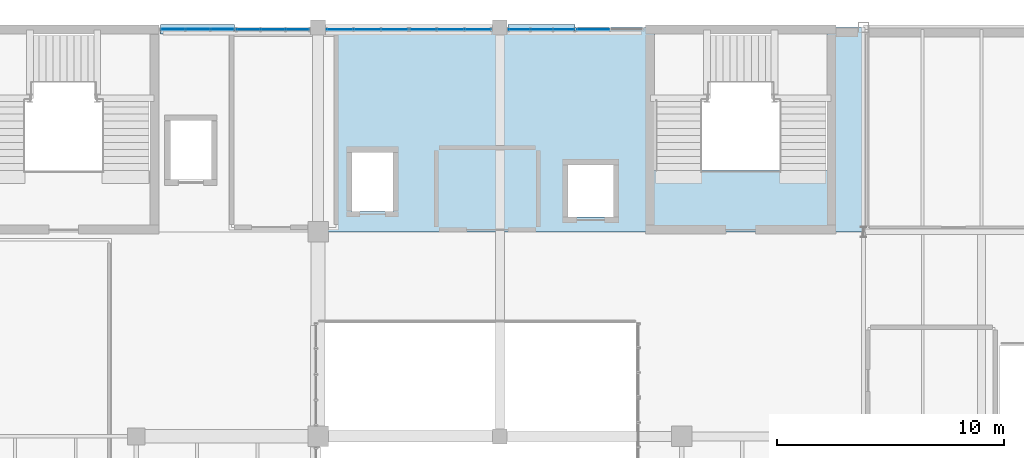
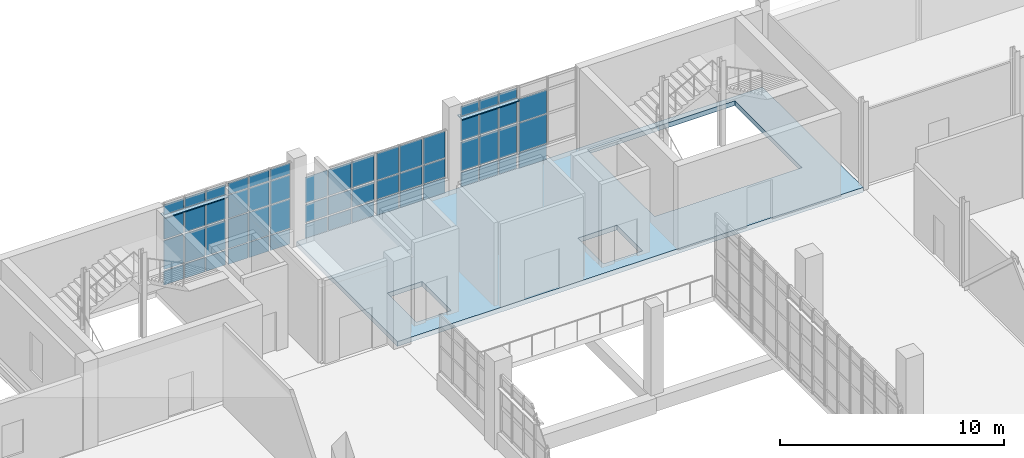
# One storey, part 76 of 102: 59 plates, 1 slab, 6 elements without a shape of their own.
"""IFC4 building model written with IfcOpenShell, lengths in metres."""

from ifc_helpers import new_model, si_unit, derived_unit, direction, frame, origin, origin_2d, place, context, subcontext, project, spatial, polyline, rectangle, outline, extrude, material, layer, layer_set, type_object, element, aggregate, save


model = new_model("IFC4")

# Units and contexts
model_context = context("Model", 3, precision=1e-05, world=origin(), true_north=direction((0.0, 1.0)))
body_context = subcontext(model_context, "Body", "Model", "MODEL_VIEW")
ifc_project = project(units=[si_unit("LENGTHUNIT", "METRE"), si_unit("AREAUNIT", "SQUARE_METRE"), si_unit("VOLUMEUNIT", "CUBIC_METRE"), si_unit("PLANEANGLEUNIT", "RADIAN"), si_unit("MASSUNIT", "GRAM", prefix="KILO"), derived_unit("THERMALTRANSMITTANCEUNIT", [(si_unit("POWERUNIT", "WATT"), 1), (si_unit("LENGTHUNIT", "METRE"), -2), (si_unit("THERMODYNAMICTEMPERATUREUNIT", "KELVIN"), -1)])], contexts=[model_context])

# Site, building, storey
site_placement = place(None, origin())
site = spatial("IfcSite", under=ifc_project, at=site_placement, CompositionType="ELEMENT")
building_placement = place(site_placement, origin())
building = spatial("IfcBuilding", under=site, at=building_placement, Name="Nallur Shell Playhouse", CompositionType="ELEMENT")
storey_placement = place(building_placement, frame((0.0, 0.0, 15.0)))
storey = spatial("IfcBuildingStorey", under=building, at=storey_placement, Name="L04", CompositionType="ELEMENT", Elevation=15.0)

# Curtain wall, plates
ifc_material_1 = material(Name="Anodised Aluminium Double-Glazed Facade System", Category="aluminium")
ifc_layer_1 = layer(ifc_material_1, 0.172119140625)
ifc_layer_set_1 = layer_set([ifc_layer_1], Name="Anodised Aluminium Double-Glazed Facade System")
curtain_wall_type_1 = type_object("IfcCurtainWallType", Name="CW-UNIT-09", PredefinedType="NOTDEFINED", material=ifc_layer_set_1)
curtain_wall_1_placement = place(storey_placement, origin())
curtain_wall_1 = element("IfcCurtainWall", 1, at=curtain_wall_1_placement, inside=storey, type_object=curtain_wall_type_1, Name="Unitised curtain wall CW-105 (L04)", PredefinedType="NOTDEFINED")
ifc_material_2 = material(Name="Solar-Control Low-E Laminated Insulating Glass", Category="glass")
ifc_layer_2 = layer(ifc_material_2, 0.02587890625)
ifc_layer_set_2 = layer_set([ifc_layer_2], Name="Solar-Control Low-E Laminated Insulating Glass")
plate_type_1 = type_object("IfcPlateType", Name="PT-GLZ-01", PredefinedType="CURTAIN_PANEL", material=ifc_layer_set_2)
plate_1_placement = place(storey_placement, frame((36.932861328125, 82.909912109375, 0.05712890625), z_axis=(0.0, 0.0, 1.0), x_axis=(1.0, 0.0, 0.0)))
plate_1 = element("IfcPlate", 2, at=plate_1_placement, type_object=plate_type_1, Name="CW-09 panel 1.1", PredefinedType="CURTAIN_PANEL", context=body_context, shape_type="SweptSolid", body=[
    extrude(rectangle(XDim=1.004638671875, YDim=0.02587890625, at=origin_2d()), origin(), (0.0, 0.0, 1.0), 0.818603515625),
])
plate_2_placement = place(storey_placement, frame((36.932861328125, 82.909912109375, 0.924560546875), z_axis=(0.0, 0.0, 1.0), x_axis=(1.0, 0.0, 0.0)))
plate_2 = element("IfcPlate", 3, at=plate_2_placement, type_object=plate_type_1, Name="CW-09 panel 1.2", PredefinedType="CURTAIN_PANEL", context=body_context, shape_type="SweptSolid", body=[
    extrude(rectangle(XDim=1.004638671875, YDim=0.02587890625, at=origin_2d()), origin(), (0.0, 0.0, 1.0), 1.587890625),
])
plate_3_placement = place(storey_placement, frame((36.932861328125, 82.909912109375, 2.5615234375), z_axis=(0.0, 0.0, 1.0), x_axis=(1.0, 0.0, 0.0)))
plate_3 = element("IfcPlate", 4, at=plate_3_placement, type_object=plate_type_1, Name="CW-09 panel 1.3", PredefinedType="CURTAIN_PANEL", context=body_context, shape_type="SweptSolid", body=[
    extrude(rectangle(XDim=1.004638671875, YDim=0.02587890625, at=origin_2d()), origin(), (0.0, 0.0, 1.0), 1.263916015625),
])
plate_4_placement = place(storey_placement, frame((36.932861328125, 82.909912109375, 3.87451171875), z_axis=(0.0, 0.0, 1.0), x_axis=(1.0, 0.0, 0.0)))
plate_4 = element("IfcPlate", 5, at=plate_4_placement, type_object=plate_type_1, Name="CW-09 panel 1.4", PredefinedType="CURTAIN_PANEL", context=body_context, shape_type="SweptSolid", body=[
    extrude(rectangle(XDim=1.004638671875, YDim=0.02587890625, at=origin_2d()), origin(), (0.0, 0.0, 1.0), 0.598388671875),
])
plate_5_placement = place(storey_placement, frame((38.01513671875, 82.909912109375, 0.05712890625), z_axis=(0.0, 0.0, 1.0), x_axis=(1.0, 0.0, 0.0)))
plate_5 = element("IfcPlate", 6, at=plate_5_placement, type_object=plate_type_1, Name="CW-09 panel 2.1", PredefinedType="CURTAIN_PANEL", context=body_context, shape_type="SweptSolid", body=[
    extrude(rectangle(XDim=1.042236328125, YDim=0.02587890625, at=origin_2d()), origin(), (0.0, 0.0, 1.0), 0.818603515625),
])
plate_6_placement = place(storey_placement, frame((38.01513671875, 82.909912109375, 0.924560546875), z_axis=(0.0, 0.0, 1.0), x_axis=(1.0, 0.0, 0.0)))
plate_6 = element("IfcPlate", 7, at=plate_6_placement, type_object=plate_type_1, Name="CW-09 panel 2.2", PredefinedType="CURTAIN_PANEL", context=body_context, shape_type="SweptSolid", body=[
    extrude(rectangle(XDim=1.042236328125, YDim=0.02587890625, at=origin_2d()), origin(), (0.0, 0.0, 1.0), 1.587890625),
])
plate_7_placement = place(storey_placement, frame((38.01513671875, 82.909912109375, 2.5615234375), z_axis=(0.0, 0.0, 1.0), x_axis=(1.0, 0.0, 0.0)))
plate_7 = element("IfcPlate", 8, at=plate_7_placement, type_object=plate_type_1, Name="CW-09 panel 2.3", PredefinedType="CURTAIN_PANEL", context=body_context, shape_type="SweptSolid", body=[
    extrude(rectangle(XDim=1.042236328125, YDim=0.02587890625, at=origin_2d()), origin(), (0.0, 0.0, 1.0), 1.263916015625),
])
plate_8_placement = place(storey_placement, frame((38.01513671875, 82.909912109375, 3.87451171875), z_axis=(0.0, 0.0, 1.0), x_axis=(1.0, 0.0, 0.0)))
plate_8 = element("IfcPlate", 9, at=plate_8_placement, type_object=plate_type_1, Name="CW-09 panel 2.4", PredefinedType="CURTAIN_PANEL", context=body_context, shape_type="SweptSolid", body=[
    extrude(rectangle(XDim=1.042236328125, YDim=0.02587890625, at=origin_2d()), origin(), (0.0, 0.0, 1.0), 0.598388671875),
])
plate_9_placement = place(storey_placement, frame((39.09765625, 82.909912109375, 0.05712890625), z_axis=(0.0, 0.0, 1.0), x_axis=(1.0, 0.0, 0.0)))
plate_9 = element("IfcPlate", 10, at=plate_9_placement, type_object=plate_type_1, Name="CW-09 panel 3.1", PredefinedType="CURTAIN_PANEL", context=body_context, shape_type="SweptSolid", body=[
    extrude(rectangle(XDim=1.004638671875, YDim=0.02587890625, at=origin_2d()), origin(), (0.0, 0.0, 1.0), 0.818603515625),
])
plate_10_placement = place(storey_placement, frame((39.09765625, 82.909912109375, 0.924560546875), z_axis=(0.0, 0.0, 1.0), x_axis=(1.0, 0.0, 0.0)))
plate_10 = element("IfcPlate", 11, at=plate_10_placement, type_object=plate_type_1, Name="CW-09 panel 3.2", PredefinedType="CURTAIN_PANEL", context=body_context, shape_type="SweptSolid", body=[
    extrude(rectangle(XDim=1.004638671875, YDim=0.02587890625, at=origin_2d()), origin(), (0.0, 0.0, 1.0), 1.587890625),
])
plate_11_placement = place(storey_placement, frame((39.09765625, 82.909912109375, 2.5615234375), z_axis=(0.0, 0.0, 1.0), x_axis=(1.0, 0.0, 0.0)))
plate_11 = element("IfcPlate", 12, at=plate_11_placement, type_object=plate_type_1, Name="CW-09 panel 3.3", PredefinedType="CURTAIN_PANEL", context=body_context, shape_type="SweptSolid", body=[
    extrude(rectangle(XDim=1.004638671875, YDim=0.02587890625, at=origin_2d()), origin(), (0.0, 0.0, 1.0), 1.263916015625),
])
plate_12_placement = place(storey_placement, frame((39.09765625, 82.909912109375, 3.87451171875), z_axis=(0.0, 0.0, 1.0), x_axis=(1.0, 0.0, 0.0)))
plate_12 = element("IfcPlate", 13, at=plate_12_placement, type_object=plate_type_1, Name="CW-09 panel 3.4", PredefinedType="CURTAIN_PANEL", context=body_context, shape_type="SweptSolid", body=[
    extrude(rectangle(XDim=1.004638671875, YDim=0.02587890625, at=origin_2d()), origin(), (0.0, 0.0, 1.0), 0.598388671875),
])
aggregate(curtain_wall_1, [plate_1, plate_2, plate_3, plate_4, plate_5, plate_6, plate_7, plate_8, plate_9, plate_10, plate_11, plate_12])

ifc_layer_3 = layer(ifc_material_1, 0.176025390625)
ifc_layer_set_3 = layer_set([ifc_layer_3], Name="Anodised Aluminium Double-Glazed Facade System")
curtain_wall_type_2 = type_object("IfcCurtainWallType", Name="CW-UNIT-10", PredefinedType="NOTDEFINED", material=ifc_layer_set_3)
curtain_wall_2_placement = place(storey_placement, origin())
curtain_wall_2 = element("IfcCurtainWall", 14, at=curtain_wall_2_placement, inside=storey, type_object=curtain_wall_type_2, Name="Unitised curtain wall CW-106 (L04)", PredefinedType="NOTDEFINED")
ifc_layer_4 = layer(ifc_material_2, 0.028076171875)
ifc_layer_set_4 = layer_set([ifc_layer_4], Name="Solar-Control Low-E Laminated Insulating Glass")
plate_type_2 = type_object("IfcPlateType", Name="PT-GLZ-02", PredefinedType="CURTAIN_PANEL", material=ifc_layer_set_4)
plate_13_placement = place(storey_placement, frame((40.95947265625, 82.909912109375, 0.092041015625), z_axis=(0.0, 0.0, 1.0), x_axis=(1.0, 0.0, 0.0)))
plate_13 = element("IfcPlate", 15, at=plate_13_placement, type_object=plate_type_2, Name="CW-10 panel 1.1", PredefinedType="CURTAIN_PANEL", context=body_context, shape_type="SweptSolid", body=[
    extrude(rectangle(XDim=1.13916015625, YDim=0.028076171875, at=origin_2d()), origin(), (0.0, 0.0, 1.0), 0.76611328125),
])
plate_14_placement = place(storey_placement, frame((40.95947265625, 82.909912109375, 0.94189453125), z_axis=(0.0, 0.0, 1.0), x_axis=(1.0, 0.0, 0.0)))
plate_14 = element("IfcPlate", 16, at=plate_14_placement, type_object=plate_type_2, Name="CW-10 panel 1.2", PredefinedType="CURTAIN_PANEL", context=body_context, shape_type="SweptSolid", body=[
    extrude(rectangle(XDim=1.13916015625, YDim=0.028076171875, at=origin_2d()), origin(), (0.0, 0.0, 1.0), 0.972900390625),
])
plate_15_placement = place(storey_placement, frame((40.95947265625, 82.909912109375, 1.9990234375), z_axis=(0.0, 0.0, 1.0), x_axis=(1.0, 0.0, 0.0)))
plate_15 = element("IfcPlate", 17, at=plate_15_placement, type_object=plate_type_2, Name="CW-10 panel 1.3", PredefinedType="CURTAIN_PANEL", context=body_context, shape_type="SweptSolid", body=[
    extrude(rectangle(XDim=1.13916015625, YDim=0.028076171875, at=origin_2d()), origin(), (0.0, 0.0, 1.0), 1.404052734375),
])
plate_16_placement = place(storey_placement, frame((42.1640625, 82.909912109375, 0.092041015625), z_axis=(0.0, 0.0, 1.0), x_axis=(1.0, 0.0, 0.0)))
plate_16 = element("IfcPlate", 18, at=plate_16_placement, type_object=plate_type_2, Name="CW-10 panel 2.1", PredefinedType="CURTAIN_PANEL", context=body_context, shape_type="SweptSolid", body=[
    extrude(rectangle(XDim=1.171630859375, YDim=0.028076171875, at=origin_2d()), origin(), (0.0, 0.0, 1.0), 0.76611328125),
])
plate_17_placement = place(storey_placement, frame((42.1640625, 82.909912109375, 0.94189453125), z_axis=(0.0, 0.0, 1.0), x_axis=(1.0, 0.0, 0.0)))
plate_17 = element("IfcPlate", 19, at=plate_17_placement, type_object=plate_type_2, Name="CW-10 panel 2.2", PredefinedType="CURTAIN_PANEL", context=body_context, shape_type="SweptSolid", body=[
    extrude(rectangle(XDim=1.171630859375, YDim=0.028076171875, at=origin_2d()), origin(), (0.0, 0.0, 1.0), 0.972900390625),
])
plate_18_placement = place(storey_placement, frame((42.1640625, 82.909912109375, 1.9990234375), z_axis=(0.0, 0.0, 1.0), x_axis=(1.0, 0.0, 0.0)))
plate_18 = element("IfcPlate", 20, at=plate_18_placement, type_object=plate_type_2, Name="CW-10 panel 2.3", PredefinedType="CURTAIN_PANEL", context=body_context, shape_type="SweptSolid", body=[
    extrude(rectangle(XDim=1.171630859375, YDim=0.028076171875, at=origin_2d()), origin(), (0.0, 0.0, 1.0), 1.404052734375),
])
plate_19_placement = place(storey_placement, frame((43.368408203125, 82.909912109375, 0.092041015625), z_axis=(0.0, 0.0, 1.0), x_axis=(1.0, 0.0, 0.0)))
plate_19 = element("IfcPlate", 21, at=plate_19_placement, type_object=plate_type_2, Name="CW-10 panel 3.1", PredefinedType="CURTAIN_PANEL", context=body_context, shape_type="SweptSolid", body=[
    extrude(rectangle(XDim=1.13916015625, YDim=0.028076171875, at=origin_2d()), origin(), (0.0, 0.0, 1.0), 0.76611328125),
])
plate_20_placement = place(storey_placement, frame((43.368408203125, 82.909912109375, 0.94189453125), z_axis=(0.0, 0.0, 1.0), x_axis=(1.0, 0.0, 0.0)))
plate_20 = element("IfcPlate", 22, at=plate_20_placement, type_object=plate_type_2, Name="CW-10 panel 3.2", PredefinedType="CURTAIN_PANEL", context=body_context, shape_type="SweptSolid", body=[
    extrude(rectangle(XDim=1.13916015625, YDim=0.028076171875, at=origin_2d()), origin(), (0.0, 0.0, 1.0), 0.972900390625),
])
plate_21_placement = place(storey_placement, frame((43.368408203125, 82.909912109375, 1.9990234375), z_axis=(0.0, 0.0, 1.0), x_axis=(1.0, 0.0, 0.0)))
plate_21 = element("IfcPlate", 23, at=plate_21_placement, type_object=plate_type_2, Name="CW-10 panel 3.3", PredefinedType="CURTAIN_PANEL", context=body_context, shape_type="SweptSolid", body=[
    extrude(rectangle(XDim=1.13916015625, YDim=0.028076171875, at=origin_2d()), origin(), (0.0, 0.0, 1.0), 1.404052734375),
])
aggregate(curtain_wall_2, [plate_13, plate_14, plate_15, plate_16, plate_17, plate_18, plate_19, plate_20, plate_21])

ifc_layer_5 = layer(ifc_material_1, 0.179931640625)
ifc_layer_set_5 = layer_set([ifc_layer_5], Name="Anodised Aluminium Double-Glazed Facade System")
curtain_wall_type_3 = type_object("IfcCurtainWallType", Name="CW-UNIT-11", PredefinedType="NOTDEFINED", material=ifc_layer_set_5)
curtain_wall_3_placement = place(storey_placement, origin())
curtain_wall_3 = element("IfcCurtainWall", 24, at=curtain_wall_3_placement, inside=storey, type_object=curtain_wall_type_3, Name="Unitised curtain wall CW-107 (L04)", PredefinedType="NOTDEFINED")
ifc_layer_6 = layer(ifc_material_2, 0.030029296875)
ifc_layer_set_6 = layer_set([ifc_layer_6], Name="Solar-Control Low-E Laminated Insulating Glass")
plate_type_3 = type_object("IfcPlateType", Name="PT-GLZ-03", PredefinedType="CURTAIN_PANEL", material=ifc_layer_set_6)
plate_22_placement = place(storey_placement, frame((44.63525390625, 82.909912109375, 0.05712890625), z_axis=(0.0, 0.0, 1.0), x_axis=(1.0, 0.0, 0.0)))
plate_22 = element("IfcPlate", 25, at=plate_22_placement, type_object=plate_type_3, Name="CW-11 panel 1.1", PredefinedType="CURTAIN_PANEL", context=body_context, shape_type="SweptSolid", body=[
    extrude(rectangle(XDim=1.11669921875, YDim=0.030029296875, at=origin_2d()), origin(), (0.0, 0.0, 1.0), 0.818603515625),
])
plate_23_placement = place(storey_placement, frame((44.63525390625, 82.909912109375, 0.924560546875), z_axis=(0.0, 0.0, 1.0), x_axis=(1.0, 0.0, 0.0)))
plate_23 = element("IfcPlate", 26, at=plate_23_placement, type_object=plate_type_3, Name="CW-11 panel 1.2", PredefinedType="CURTAIN_PANEL", context=body_context, shape_type="SweptSolid", body=[
    extrude(rectangle(XDim=1.11669921875, YDim=0.030029296875, at=origin_2d()), origin(), (0.0, 0.0, 1.0), 0.9970703125),
])
plate_24_placement = place(storey_placement, frame((44.63525390625, 82.909912109375, 1.970703125), z_axis=(0.0, 0.0, 1.0), x_axis=(1.0, 0.0, 0.0)))
plate_24 = element("IfcPlate", 27, at=plate_24_placement, type_object=plate_type_3, Name="CW-11 panel 1.3", PredefinedType="CURTAIN_PANEL", context=body_context, shape_type="SweptSolid", body=[
    extrude(rectangle(XDim=1.11669921875, YDim=0.030029296875, at=origin_2d()), origin(), (0.0, 0.0, 1.0), 1.447509765625),
])
plate_25_placement = place(storey_placement, frame((45.8359375, 82.909912109375, 0.05712890625), z_axis=(0.0, 0.0, 1.0), x_axis=(1.0, 0.0, 0.0)))
plate_25 = element("IfcPlate", 28, at=plate_25_placement, type_object=plate_type_3, Name="CW-11 panel 2.1", PredefinedType="CURTAIN_PANEL", context=body_context, shape_type="SweptSolid", body=[
    extrude(rectangle(XDim=1.15673828125, YDim=0.030029296875, at=origin_2d()), origin(), (0.0, 0.0, 1.0), 0.818603515625),
])
plate_26_placement = place(storey_placement, frame((45.8359375, 82.909912109375, 0.924560546875), z_axis=(0.0, 0.0, 1.0), x_axis=(1.0, 0.0, 0.0)))
plate_26 = element("IfcPlate", 29, at=plate_26_placement, type_object=plate_type_3, Name="CW-11 panel 2.2", PredefinedType="CURTAIN_PANEL", context=body_context, shape_type="SweptSolid", body=[
    extrude(rectangle(XDim=1.15673828125, YDim=0.030029296875, at=origin_2d()), origin(), (0.0, 0.0, 1.0), 0.9970703125),
])
plate_27_placement = place(storey_placement, frame((45.8359375, 82.909912109375, 1.970703125), z_axis=(0.0, 0.0, 1.0), x_axis=(1.0, 0.0, 0.0)))
plate_27 = element("IfcPlate", 30, at=plate_27_placement, type_object=plate_type_3, Name="CW-11 panel 2.3", PredefinedType="CURTAIN_PANEL", context=body_context, shape_type="SweptSolid", body=[
    extrude(rectangle(XDim=1.15673828125, YDim=0.030029296875, at=origin_2d()), origin(), (0.0, 0.0, 1.0), 1.447509765625),
])
plate_28_placement = place(storey_placement, frame((47.03662109375, 82.909912109375, 0.05712890625), z_axis=(0.0, 0.0, 1.0), x_axis=(1.0, 0.0, 0.0)))
plate_28 = element("IfcPlate", 31, at=plate_28_placement, type_object=plate_type_3, Name="CW-11 panel 3.1", PredefinedType="CURTAIN_PANEL", context=body_context, shape_type="SweptSolid", body=[
    extrude(rectangle(XDim=1.11669921875, YDim=0.030029296875, at=origin_2d()), origin(), (0.0, 0.0, 1.0), 0.818603515625),
])
plate_29_placement = place(storey_placement, frame((47.03662109375, 82.909912109375, 0.924560546875), z_axis=(0.0, 0.0, 1.0), x_axis=(1.0, 0.0, 0.0)))
plate_29 = element("IfcPlate", 32, at=plate_29_placement, type_object=plate_type_3, Name="CW-11 panel 3.2", PredefinedType="CURTAIN_PANEL", context=body_context, shape_type="SweptSolid", body=[
    extrude(rectangle(XDim=1.11669921875, YDim=0.030029296875, at=origin_2d()), origin(), (0.0, 0.0, 1.0), 0.9970703125),
])
plate_30_placement = place(storey_placement, frame((47.03662109375, 82.909912109375, 1.970703125), z_axis=(0.0, 0.0, 1.0), x_axis=(1.0, 0.0, 0.0)))
plate_30 = element("IfcPlate", 33, at=plate_30_placement, type_object=plate_type_3, Name="CW-11 panel 3.3", PredefinedType="CURTAIN_PANEL", context=body_context, shape_type="SweptSolid", body=[
    extrude(rectangle(XDim=1.11669921875, YDim=0.030029296875, at=origin_2d()), origin(), (0.0, 0.0, 1.0), 1.447509765625),
])
aggregate(curtain_wall_3, [plate_22, plate_23, plate_24, plate_25, plate_26, plate_27, plate_28, plate_29, plate_30])

ifc_layer_7 = layer(ifc_material_1, 0.159912109375)
ifc_layer_set_7 = layer_set([ifc_layer_7], Name="Anodised Aluminium Double-Glazed Facade System")
curtain_wall_type_4 = type_object("IfcCurtainWallType", Name="CW-UNIT-12", PredefinedType="NOTDEFINED", material=ifc_layer_set_7)
curtain_wall_4_placement = place(storey_placement, origin())
curtain_wall_4 = element("IfcCurtainWall", 34, at=curtain_wall_4_placement, inside=storey, type_object=curtain_wall_type_4, Name="Unitised curtain wall CW-108 (L04)", PredefinedType="NOTDEFINED")
ifc_layer_8 = layer(ifc_material_2, 0.031982421875)
ifc_layer_set_8 = layer_set([ifc_layer_8], Name="Solar-Control Low-E Laminated Insulating Glass")
plate_type_4 = type_object("IfcPlateType", Name="PT-GLZ-04", PredefinedType="CURTAIN_PANEL", material=ifc_layer_set_8)
plate_31_placement = place(storey_placement, frame((48.852294921875, 82.909912109375, 0.092041015625), z_axis=(0.0, 0.0, 1.0), x_axis=(1.0, 0.0, 0.0)))
plate_31 = element("IfcPlate", 35, at=plate_31_placement, type_object=plate_type_4, Name="CW-12 panel 1.1", PredefinedType="CURTAIN_PANEL", context=body_context, shape_type="SweptSolid", body=[
    extrude(rectangle(XDim=0.90478515625, YDim=0.031982421875, at=origin_2d()), origin(), (0.0, 0.0, 1.0), 0.76611328125),
])
plate_32_placement = place(storey_placement, frame((48.852294921875, 82.909912109375, 0.942138671875), z_axis=(0.0, 0.0, 1.0), x_axis=(1.0, 0.0, 0.0)))
plate_32 = element("IfcPlate", 36, at=plate_32_placement, type_object=plate_type_4, Name="CW-12 panel 1.2", PredefinedType="CURTAIN_PANEL", context=body_context, shape_type="SweptSolid", body=[
    extrude(rectangle(XDim=0.90478515625, YDim=0.031982421875, at=origin_2d()), origin(), (0.0, 0.0, 1.0), 1.56396484375),
])
plate_33_placement = place(storey_placement, frame((48.852294921875, 82.909912109375, 2.58984375), z_axis=(0.0, 0.0, 1.0), x_axis=(1.0, 0.0, 0.0)))
plate_33 = element("IfcPlate", 37, at=plate_33_placement, type_object=plate_type_4, Name="CW-12 panel 1.3", PredefinedType="CURTAIN_PANEL", context=body_context, shape_type="SweptSolid", body=[
    extrude(rectangle(XDim=0.90478515625, YDim=0.031982421875, at=origin_2d()), origin(), (0.0, 0.0, 1.0), 1.238037109375),
])
plate_34_placement = place(storey_placement, frame((48.852294921875, 82.909912109375, 3.912109375), z_axis=(0.0, 0.0, 1.0), x_axis=(1.0, 0.0, 0.0)))
plate_34 = element("IfcPlate", 38, at=plate_34_placement, type_object=plate_type_4, Name="CW-12 panel 1.4", PredefinedType="CURTAIN_PANEL", context=body_context, shape_type="SweptSolid", body=[
    extrude(rectangle(XDim=0.90478515625, YDim=0.031982421875, at=origin_2d()), origin(), (0.0, 0.0, 1.0), 0.5458984375),
])
plate_35_placement = place(storey_placement, frame((49.834716796875, 82.909912109375, 0.092041015625), z_axis=(0.0, 0.0, 1.0), x_axis=(1.0, 0.0, 0.0)))
plate_35 = element("IfcPlate", 39, at=plate_35_placement, type_object=plate_type_4, Name="CW-12 panel 2.1", PredefinedType="CURTAIN_PANEL", context=body_context, shape_type="SweptSolid", body=[
    extrude(rectangle(XDim=0.942138671875, YDim=0.031982421875, at=origin_2d()), origin(), (0.0, 0.0, 1.0), 0.76611328125),
])
plate_36_placement = place(storey_placement, frame((49.834716796875, 82.909912109375, 0.942138671875), z_axis=(0.0, 0.0, 1.0), x_axis=(1.0, 0.0, 0.0)))
plate_36 = element("IfcPlate", 40, at=plate_36_placement, type_object=plate_type_4, Name="CW-12 panel 2.2", PredefinedType="CURTAIN_PANEL", context=body_context, shape_type="SweptSolid", body=[
    extrude(rectangle(XDim=0.942138671875, YDim=0.031982421875, at=origin_2d()), origin(), (0.0, 0.0, 1.0), 1.56396484375),
])
plate_37_placement = place(storey_placement, frame((49.834716796875, 82.909912109375, 2.58984375), z_axis=(0.0, 0.0, 1.0), x_axis=(1.0, 0.0, 0.0)))
plate_37 = element("IfcPlate", 41, at=plate_37_placement, type_object=plate_type_4, Name="CW-12 panel 2.3", PredefinedType="CURTAIN_PANEL", context=body_context, shape_type="SweptSolid", body=[
    extrude(rectangle(XDim=0.942138671875, YDim=0.031982421875, at=origin_2d()), origin(), (0.0, 0.0, 1.0), 1.238037109375),
])
plate_38_placement = place(storey_placement, frame((49.834716796875, 82.909912109375, 3.912109375), z_axis=(0.0, 0.0, 1.0), x_axis=(1.0, 0.0, 0.0)))
plate_38 = element("IfcPlate", 42, at=plate_38_placement, type_object=plate_type_4, Name="CW-12 panel 2.4", PredefinedType="CURTAIN_PANEL", context=body_context, shape_type="SweptSolid", body=[
    extrude(rectangle(XDim=0.942138671875, YDim=0.031982421875, at=origin_2d()), origin(), (0.0, 0.0, 1.0), 0.5458984375),
])
plate_39_placement = place(storey_placement, frame((50.817138671875, 82.909912109375, 0.092041015625), z_axis=(0.0, 0.0, 1.0), x_axis=(1.0, 0.0, 0.0)))
plate_39 = element("IfcPlate", 43, at=plate_39_placement, type_object=plate_type_4, Name="CW-12 panel 3.1", PredefinedType="CURTAIN_PANEL", context=body_context, shape_type="SweptSolid", body=[
    extrude(rectangle(XDim=0.90478515625, YDim=0.031982421875, at=origin_2d()), origin(), (0.0, 0.0, 1.0), 0.76611328125),
])
plate_40_placement = place(storey_placement, frame((50.817138671875, 82.909912109375, 0.942138671875), z_axis=(0.0, 0.0, 1.0), x_axis=(1.0, 0.0, 0.0)))
plate_40 = element("IfcPlate", 44, at=plate_40_placement, type_object=plate_type_4, Name="CW-12 panel 3.2", PredefinedType="CURTAIN_PANEL", context=body_context, shape_type="SweptSolid", body=[
    extrude(rectangle(XDim=0.90478515625, YDim=0.031982421875, at=origin_2d()), origin(), (0.0, 0.0, 1.0), 1.56396484375),
])
plate_41_placement = place(storey_placement, frame((50.817138671875, 82.909912109375, 2.58984375), z_axis=(0.0, 0.0, 1.0), x_axis=(1.0, 0.0, 0.0)))
plate_41 = element("IfcPlate", 45, at=plate_41_placement, type_object=plate_type_4, Name="CW-12 panel 3.3", PredefinedType="CURTAIN_PANEL", context=body_context, shape_type="SweptSolid", body=[
    extrude(rectangle(XDim=0.90478515625, YDim=0.031982421875, at=origin_2d()), origin(), (0.0, 0.0, 1.0), 1.238037109375),
])
plate_42_placement = place(storey_placement, frame((50.817138671875, 82.909912109375, 3.912109375), z_axis=(0.0, 0.0, 1.0), x_axis=(1.0, 0.0, 0.0)))
plate_42 = element("IfcPlate", 46, at=plate_42_placement, type_object=plate_type_4, Name="CW-12 panel 3.4", PredefinedType="CURTAIN_PANEL", context=body_context, shape_type="SweptSolid", body=[
    extrude(rectangle(XDim=0.90478515625, YDim=0.031982421875, at=origin_2d()), origin(), (0.0, 0.0, 1.0), 0.5458984375),
])
aggregate(curtain_wall_4, [plate_31, plate_32, plate_33, plate_34, plate_35, plate_36, plate_37, plate_38, plate_39, plate_40, plate_41, plate_42])

ifc_layer_9 = layer(ifc_material_1, 0.1640625)
ifc_layer_set_9 = layer_set([ifc_layer_9], Name="Anodised Aluminium Double-Glazed Facade System")
curtain_wall_type_5 = type_object("IfcCurtainWallType", Name="CW-UNIT-13", PredefinedType="NOTDEFINED", material=ifc_layer_set_9)
curtain_wall_5_placement = place(storey_placement, origin())
curtain_wall_5 = element("IfcCurtainWall", 47, at=curtain_wall_5_placement, inside=storey, type_object=curtain_wall_type_5, Name="Unitised curtain wall CW-109 (L04)", PredefinedType="NOTDEFINED")
ifc_layer_10 = layer(ifc_material_2, 0.033935546875)
ifc_layer_set_10 = layer_set([ifc_layer_10], Name="Solar-Control Low-E Laminated Insulating Glass")
plate_type_5 = type_object("IfcPlateType", Name="PT-GLZ-05", PredefinedType="CURTAIN_PANEL", material=ifc_layer_set_10)
plate_43_placement = place(storey_placement, frame((52.113525390625, 82.909912109375, 0.05712890625), z_axis=(0.0, 0.0, 1.0), x_axis=(1.0, 0.0, 0.0)))
plate_43 = element("IfcPlate", 48, at=plate_43_placement, type_object=plate_type_5, Name="CW-13 panel 1.1", PredefinedType="CURTAIN_PANEL", context=body_context, shape_type="SweptSolid", body=[
    extrude(rectangle(XDim=1.420166015625, YDim=0.033935546875, at=origin_2d()), origin(), (0.0, 0.0, 1.0), 0.818603515625),
])
plate_44_placement = place(storey_placement, frame((52.113525390625, 82.909912109375, 0.924560546875), z_axis=(0.0, 0.0, 1.0), x_axis=(1.0, 0.0, 0.0)))
plate_44 = element("IfcPlate", 49, at=plate_44_placement, type_object=plate_type_5, Name="CW-13 panel 1.2", PredefinedType="CURTAIN_PANEL", context=body_context, shape_type="SweptSolid", body=[
    extrude(rectangle(XDim=1.420166015625, YDim=0.033935546875, at=origin_2d()), origin(), (0.0, 0.0, 1.0), 1.587890625),
])
plate_45_placement = place(storey_placement, frame((52.113525390625, 82.909912109375, 2.5615234375), z_axis=(0.0, 0.0, 1.0), x_axis=(1.0, 0.0, 0.0)))
plate_45 = element("IfcPlate", 50, at=plate_45_placement, type_object=plate_type_5, Name="CW-13 panel 1.3", PredefinedType="CURTAIN_PANEL", context=body_context, shape_type="SweptSolid", body=[
    extrude(rectangle(XDim=1.420166015625, YDim=0.033935546875, at=origin_2d()), origin(), (0.0, 0.0, 1.0), 1.263916015625),
])
aggregate(curtain_wall_5, [plate_43, plate_44, plate_45])

ifc_layer_11 = layer(ifc_material_1, 0.16796875)
ifc_layer_set_11 = layer_set([ifc_layer_11], Name="Anodised Aluminium Double-Glazed Facade System")
curtain_wall_type_6 = type_object("IfcCurtainWallType", Name="CW-UNIT-08", PredefinedType="NOTDEFINED", material=ifc_layer_set_11)
curtain_wall_6_placement = place(storey_placement, origin())
curtain_wall_6 = element("IfcCurtainWall", 51, at=curtain_wall_6_placement, inside=storey, type_object=curtain_wall_type_6, Name="Unitised curtain wall CW-104 (L04)", PredefinedType="NOTDEFINED")
ifc_layer_12 = layer(ifc_material_2, 0.0400390625)
ifc_layer_set_12 = layer_set([ifc_layer_12], Name="Solar-Control Low-E Laminated Insulating Glass")
plate_type_6 = type_object("IfcPlateType", Name="PT-GLZ-08", PredefinedType="CURTAIN_PANEL", material=ifc_layer_set_12)
plate_46_placement = place(storey_placement, frame((33.62060546875, 82.909912109375, 0.092041015625), z_axis=(0.0, 0.0, 1.0), x_axis=(1.0, 0.0, 0.0)))
plate_46 = element("IfcPlate", 52, at=plate_46_placement, type_object=plate_type_6, Name="CW-08 panel 1.1", PredefinedType="CURTAIN_PANEL", context=body_context, shape_type="SweptSolid", body=[
    extrude(rectangle(XDim=0.9970703125, YDim=0.0400390625, at=origin_2d()), origin(), (0.0, 0.0, 1.0), 0.76611328125),
])
plate_47_placement = place(storey_placement, frame((33.62060546875, 82.909912109375, 0.942138671875), z_axis=(0.0, 0.0, 1.0), x_axis=(1.0, 0.0, 0.0)))
plate_47 = element("IfcPlate", 53, at=plate_47_placement, type_object=plate_type_6, Name="CW-08 panel 1.2", PredefinedType="CURTAIN_PANEL", context=body_context, shape_type="SweptSolid", body=[
    extrude(rectangle(XDim=0.9970703125, YDim=0.0400390625, at=origin_2d()), origin(), (0.0, 0.0, 1.0), 1.56396484375),
])
plate_48_placement = place(storey_placement, frame((33.62060546875, 82.909912109375, 2.58984375), z_axis=(0.0, 0.0, 1.0), x_axis=(1.0, 0.0, 0.0)))
plate_48 = element("IfcPlate", 54, at=plate_48_placement, type_object=plate_type_6, Name="CW-08 panel 1.3", PredefinedType="CURTAIN_PANEL", context=body_context, shape_type="SweptSolid", body=[
    extrude(rectangle(XDim=0.9970703125, YDim=0.0400390625, at=origin_2d()), origin(), (0.0, 0.0, 1.0), 1.238037109375),
])
plate_49_placement = place(storey_placement, frame((33.62060546875, 82.909912109375, 3.912109375), z_axis=(0.0, 0.0, 1.0), x_axis=(1.0, 0.0, 0.0)))
plate_49 = element("IfcPlate", 55, at=plate_49_placement, type_object=plate_type_6, Name="CW-08 panel 1.4", PredefinedType="CURTAIN_PANEL", context=body_context, shape_type="SweptSolid", body=[
    extrude(rectangle(XDim=0.9970703125, YDim=0.0400390625, at=origin_2d()), origin(), (0.0, 0.0, 1.0), 0.5458984375),
])
plate_50_placement = place(storey_placement, frame((34.70166015625, 82.909912109375, 0.092041015625), z_axis=(0.0, 0.0, 1.0), x_axis=(1.0, 0.0, 0.0)))
plate_50 = element("IfcPlate", 56, at=plate_50_placement, type_object=plate_type_6, Name="CW-08 panel 2.1", PredefinedType="CURTAIN_PANEL", context=body_context, shape_type="SweptSolid", body=[
    extrude(rectangle(XDim=1.037109375, YDim=0.0400390625, at=origin_2d()), origin(), (0.0, 0.0, 1.0), 0.76611328125),
])
plate_51_placement = place(storey_placement, frame((34.70166015625, 82.909912109375, 0.942138671875), z_axis=(0.0, 0.0, 1.0), x_axis=(1.0, 0.0, 0.0)))
plate_51 = element("IfcPlate", 57, at=plate_51_placement, type_object=plate_type_6, Name="CW-08 panel 2.2", PredefinedType="CURTAIN_PANEL", context=body_context, shape_type="SweptSolid", body=[
    extrude(rectangle(XDim=1.037109375, YDim=0.0400390625, at=origin_2d()), origin(), (0.0, 0.0, 1.0), 1.56396484375),
])
plate_52_placement = place(storey_placement, frame((34.70166015625, 82.909912109375, 2.58984375), z_axis=(0.0, 0.0, 1.0), x_axis=(1.0, 0.0, 0.0)))
plate_52 = element("IfcPlate", 58, at=plate_52_placement, type_object=plate_type_6, Name="CW-08 panel 2.3", PredefinedType="CURTAIN_PANEL", context=body_context, shape_type="SweptSolid", body=[
    extrude(rectangle(XDim=1.037109375, YDim=0.0400390625, at=origin_2d()), origin(), (0.0, 0.0, 1.0), 1.238037109375),
])
plate_53_placement = place(storey_placement, frame((34.70166015625, 82.909912109375, 3.912109375), z_axis=(0.0, 0.0, 1.0), x_axis=(1.0, 0.0, 0.0)))
plate_53 = element("IfcPlate", 59, at=plate_53_placement, type_object=plate_type_6, Name="CW-08 panel 2.4", PredefinedType="CURTAIN_PANEL", context=body_context, shape_type="SweptSolid", body=[
    extrude(rectangle(XDim=1.037109375, YDim=0.0400390625, at=origin_2d()), origin(), (0.0, 0.0, 1.0), 0.5458984375),
])
plate_54_placement = place(storey_placement, frame((35.782958984375, 82.909912109375, 0.092041015625), z_axis=(0.0, 0.0, 1.0), x_axis=(1.0, 0.0, 0.0)))
plate_54 = element("IfcPlate", 60, at=plate_54_placement, type_object=plate_type_6, Name="CW-08 panel 3.1", PredefinedType="CURTAIN_PANEL", context=body_context, shape_type="SweptSolid", body=[
    extrude(rectangle(XDim=0.9970703125, YDim=0.0400390625, at=origin_2d()), origin(), (0.0, 0.0, 1.0), 0.76611328125),
])
plate_55_placement = place(storey_placement, frame((35.782958984375, 82.909912109375, 0.942138671875), z_axis=(0.0, 0.0, 1.0), x_axis=(1.0, 0.0, 0.0)))
plate_55 = element("IfcPlate", 61, at=plate_55_placement, type_object=plate_type_6, Name="CW-08 panel 3.2", PredefinedType="CURTAIN_PANEL", context=body_context, shape_type="SweptSolid", body=[
    extrude(rectangle(XDim=0.9970703125, YDim=0.0400390625, at=origin_2d()), origin(), (0.0, 0.0, 1.0), 1.56396484375),
])
plate_56_placement = place(storey_placement, frame((35.782958984375, 82.909912109375, 2.58984375), z_axis=(0.0, 0.0, 1.0), x_axis=(1.0, 0.0, 0.0)))
plate_56 = element("IfcPlate", 62, at=plate_56_placement, type_object=plate_type_6, Name="CW-08 panel 3.3", PredefinedType="CURTAIN_PANEL", context=body_context, shape_type="SweptSolid", body=[
    extrude(rectangle(XDim=0.9970703125, YDim=0.0400390625, at=origin_2d()), origin(), (0.0, 0.0, 1.0), 1.238037109375),
])
plate_57_placement = place(storey_placement, frame((35.782958984375, 82.909912109375, 3.912109375), z_axis=(0.0, 0.0, 1.0), x_axis=(1.0, 0.0, 0.0)))
plate_57 = element("IfcPlate", 63, at=plate_57_placement, type_object=plate_type_6, Name="CW-08 panel 3.4", PredefinedType="CURTAIN_PANEL", context=body_context, shape_type="SweptSolid", body=[
    extrude(rectangle(XDim=0.9970703125, YDim=0.0400390625, at=origin_2d()), origin(), (0.0, 0.0, 1.0), 0.5458984375),
])
aggregate(curtain_wall_6, [plate_46, plate_47, plate_48, plate_49, plate_50, plate_51, plate_52, plate_53, plate_54, plate_55, plate_56, plate_57])

# Plates
ifc_material_3 = material(Name="Terracotta & Gold-Anodised Monsoon Sunshade Blade", Category="masonry")
ifc_layer_13 = layer(ifc_material_3, 0.050048828125)
ifc_layer_set_13 = layer_set([ifc_layer_13], Name="Terracotta & Gold-Anodised Monsoon Sunshade Blade")
plate_type_7 = type_object("IfcPlateType", Name="PT-LOUVRE-02", PredefinedType="USERDEFINED", material=ifc_layer_set_13)
plate_58_placement = place(storey_placement, frame((34.70166015625, 82.909912109375, 3.84521484375), z_axis=(0.0, 0.0, 1.0), x_axis=(1.0, 0.0, 0.0)))
element("IfcPlate", 64, at=plate_58_placement, inside=storey, type_object=plate_type_7, Name="Monsoon sunshade louvre blade LV-026", ObjectType="SUNSHADE LOUVRE", PredefinedType="USERDEFINED", context=body_context, shape_type="SweptSolid", body=[
    extrude(rectangle(XDim=3.263916015625, YDim=0.419921875, at=origin_2d()), origin(), (0.0, 0.0, 1.0), 0.050048828125),
])
ifc_layer_14 = layer(ifc_material_3, 0.054931640625)
ifc_layer_set_14 = layer_set([ifc_layer_14], Name="Terracotta & Gold-Anodised Monsoon Sunshade Blade")
plate_type_8 = type_object("IfcPlateType", Name="PT-LOUVRE-03", PredefinedType="USERDEFINED", material=ifc_layer_set_14)
plate_59_placement = place(storey_placement, frame((49.834716796875, 82.909912109375, 3.8427734375), z_axis=(0.0, 0.0, 1.0), x_axis=(1.0, 0.0, 0.0)))
element("IfcPlate", 65, at=plate_59_placement, inside=storey, type_object=plate_type_8, Name="Monsoon sunshade louvre blade LV-027", ObjectType="SUNSHADE LOUVRE", PredefinedType="USERDEFINED", context=body_context, shape_type="SweptSolid", body=[
    extrude(rectangle(XDim=2.964111328125, YDim=0.419921875, at=origin_2d()), origin(), (0.0, 0.0, 1.0), 0.054931640625),
])

# Slab
ifc_material_4 = material(Name="Concrete M30", Category="concrete")
ifc_layer_15 = layer(ifc_material_4, 0.260009765625)
ifc_layer_set_15 = layer_set([ifc_layer_15], Name="Concrete M30")
slab_type = type_object("IfcSlabType", Name="SL-FLOOR-260", PredefinedType="FLOOR", material=ifc_layer_set_15)
slab_placement = place(storey_placement, frame((0.0, 0.0, -0.260009765625)))
element("IfcSlab", 66, at=slab_placement, inside=storey, type_object=slab_type, Name="L04 structural floor slab panel 08", PredefinedType="FLOOR", context=body_context, shape_type="SweptSolid", body=[
    extrude(outline(polyline([(64.0, 83.0), (64.0, 74.0), (40.0, 74.0), (40.0, 83.0), (64.0, 83.0)]), holes=[polyline([(51.0, 76.949951171875), (51.0, 74.64990234375), (53.0, 74.64990234375), (53.0, 76.949951171875), (51.0, 76.949951171875)]), polyline([(43.300048828125, 77.5), (41.5, 77.5), (41.5, 74.89990234375), (43.300048828125, 74.89990234375), (43.300048828125, 77.5)]), polyline([(62.39990234375, 76.699951171875), (62.39990234375, 82.699951171875), (54.800048828125, 82.699951171875), (54.800048828125, 76.699951171875), (62.39990234375, 76.699951171875)])]), origin(), (0.0, 0.0, 1.0), 0.260009765625),
])

save(model, "model.ifc")
